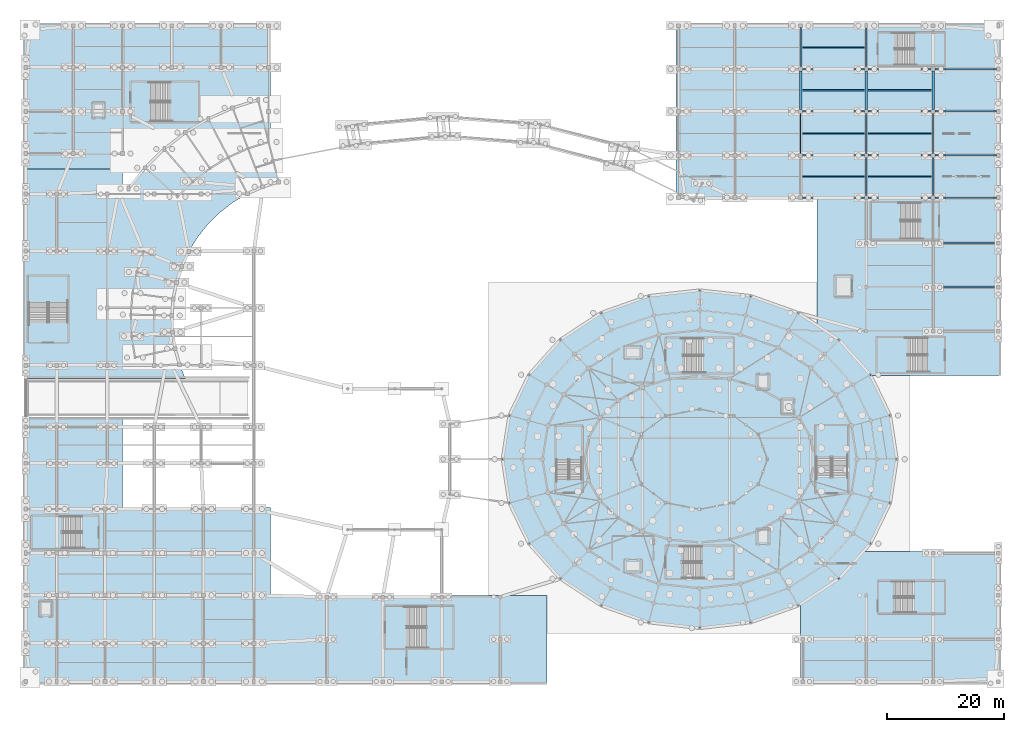
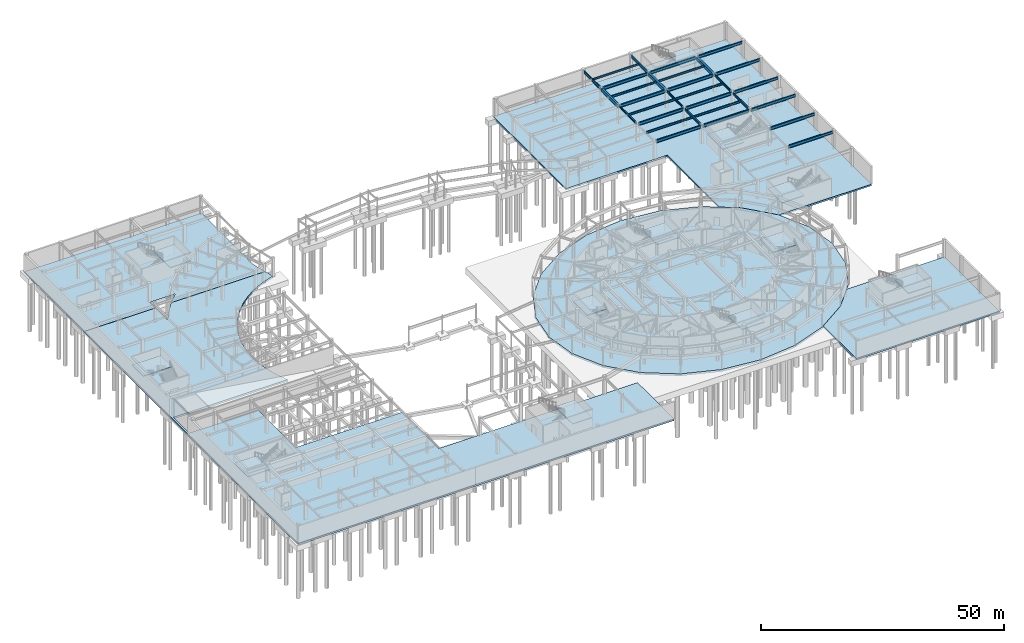
# One storey, part 34 of 68: 31 beams, 17 slabs, 12 elements without a shape of their own.
"""IFC4 building model written with IfcOpenShell, lengths in metres."""

from ifc_helpers import new_model, si_unit, direction, frame, origin, origin_2d, place, context, subcontext, project, spatial, polyline, rectangle, i_section, outline, extrude, material, layer, layer_set, material_profile, profile_set, type_object, element, aggregate, save


model = new_model("IFC4")

# Units and contexts
model_context = context("Model", 3, precision=1e-05, world=origin(), true_north=direction((0.0, 1.0)))
body_context = subcontext(model_context, "Body", "Model", "MODEL_VIEW")
ifc_project = project(units=[si_unit("LENGTHUNIT", "METRE"), si_unit("AREAUNIT", "SQUARE_METRE"), si_unit("VOLUMEUNIT", "CUBIC_METRE"), si_unit("PLANEANGLEUNIT", "RADIAN"), si_unit("MASSUNIT", "GRAM", prefix="KILO")], contexts=[model_context])

# Site, building, storey
site_placement = place(None, origin())
site = spatial("IfcSite", under=ifc_project, at=site_placement, CompositionType="ELEMENT")
building_placement = place(site_placement, origin())
building = spatial("IfcBuilding", under=site, at=building_placement, Name="Cinderbank Siding Concert Hall", CompositionType="ELEMENT")
storey_placement = place(building_placement, frame((0.0, 0.0, -4.800048828125)))
storey = spatial("IfcBuildingStorey", under=building, at=storey_placement, Name="B1", CompositionType="ELEMENT", Elevation=-4.800048828125)

# Beams
ifc_material_1 = material(Name="Reinforced concrete AS 3600 N50 (50 MPa)", Category="concrete")
ifc_material_profile_1 = material_profile(ifc_material_1, rectangle(XDim=0.449951171875, YDim=0.75, at=origin_2d()), Name="RC-BM-450x750", Category="LoadBearing")
ifc_profile_set_1 = profile_set([ifc_material_profile_1], Name="Reinforced concrete AS 3600 N50 (50 MPa)")
beam_type_1 = type_object("IfcBeamType", Name="BM-RC750 RC-BM-450x750", PredefinedType="BEAM", material=ifc_profile_set_1)
for number, where, z_axis, x_axis, name in (
    (1, (139.199951171875, 103.616943359375, 4.10693359375), (0.0, 1.0, 0.0), (-1.0, 0.0, 0.0), "B1 Beam BM-RC750 #1121"),
    (2, (150.39990234375, 103.616943359375, 4.10693359375), (0.0, 1.0, 0.0), (-1.0, 0.0, 0.0), "B1 Beam BM-RC750 #1129"),
    (3, (161.800048828125, 103.616943359375, 4.10693359375), (0.0, 1.0, 0.0), (-1.0, 0.0, 0.0), "B1 Beam BM-RC750 #1137"),
):
    element("IfcBeam", number, at=place(storey_placement, frame(where, z_axis=z_axis, x_axis=x_axis)), inside=storey, type_object=beam_type_1, Name=name, PredefinedType="BEAM", context=body_context, shape_type="SweptSolid", body=[
        extrude(rectangle(XDim=0.449951171875, YDim=0.75, at=origin_2d()), origin(), (0.0, 0.0, 1.0), 6.566162109375),
    ])
ifc_material_2 = material(Name="Structural steel AS/NZS 3679.1 Grade 350 (340 MPa)", Category="steel")
ifc_material_profile_2 = material_profile(ifc_material_2, i_section(OverallWidth=0.18994140625, OverallDepth=0.45751953125, WebThickness=0.009033203125, FlangeThickness=0.014404296875, at=origin_2d()), Name="460UB74.6", Category="LoadBearing")
ifc_profile_set_2 = profile_set([ifc_material_profile_2], Name="Structural steel AS/NZS 3679.1 Grade 350 (340 MPa)")
beam_type_2 = type_object("IfcBeamType", Name="BM-UB460 460UB74.6", PredefinedType="BEAM", material=ifc_profile_set_2)
for number, where, z_axis, x_axis, name in (
    (4, (139.199951171875, 96.116943359375, 4.25341796875), (0.0, 1.0, 0.0), (-1.0, 0.0, 0.0), "B1 Beam BM-UB460 #1119"),
    (5, (150.39990234375, 96.116943359375, 4.25341796875), (0.0, 1.0, 0.0), (-1.0, 0.0, 0.0), "B1 Beam BM-UB460 #1127"),
    (6, (161.800048828125, 96.116943359375, 4.25341796875), (0.0, 1.0, 0.0), (-1.0, 0.0, 0.0), "B1 Beam BM-UB460 #1135"),
):
    element("IfcBeam", number, at=place(storey_placement, frame(where, z_axis=z_axis, x_axis=x_axis)), inside=storey, type_object=beam_type_2, Name=name, PredefinedType="BEAM", context=body_context, shape_type="SweptSolid", body=[
        extrude(i_section(OverallWidth=0.18994140625, OverallDepth=0.45751953125, WebThickness=0.009033203125, FlangeThickness=0.014404296875, at=origin_2d()), origin(), (0.0, 0.0, 1.0), 6.865966796875),
    ])
ifc_material_profile_3 = material_profile(ifc_material_2, i_section(OverallWidth=0.208984375, OverallDepth=0.5283203125, WebThickness=0.009521484375, FlangeThickness=0.01318359375, at=origin_2d()), Name="530UB82.0", Category="LoadBearing")
ifc_profile_set_3 = profile_set([ifc_material_profile_3], Name="Structural steel AS/NZS 3679.1 Grade 350 (340 MPa)")
beam_type_3 = type_object("IfcBeamType", Name="BM-UB530 530UB82.0", PredefinedType="BEAM", material=ifc_profile_set_3)
for number, where, z_axis, x_axis, name in (
    (7, (150.39990234375, 88.9169921875, 4.218017578125), (0.0, 1.0, 0.0), (-1.0, 0.0, 0.0), "B1 Beam BM-UB530 #1125"),
    (8, (161.800048828125, 88.9169921875, 4.218017578125), (0.0, 1.0, 0.0), (-1.0, 0.0, 0.0), "B1 Beam BM-UB530 #1133"),
):
    element("IfcBeam", number, at=place(storey_placement, frame(where, z_axis=z_axis, x_axis=x_axis)), inside=storey, type_object=beam_type_3, Name=name, PredefinedType="BEAM", context=body_context, shape_type="SweptSolid", body=[
        extrude(i_section(OverallWidth=0.208984375, OverallDepth=0.5283203125, WebThickness=0.009521484375, FlangeThickness=0.01318359375, at=origin_2d()), origin(), (0.0, 0.0, 1.0), 6.56591796875),
    ])
ifc_material_3 = material(Name="Structural steel welded plate section AS/NZS 3679.2 / AS/NZS 3678 Grade 350 (340 MPa)", Category="steel")
ifc_material_profile_4 = material_profile(ifc_material_3, i_section(OverallWidth=0.25, OverallDepth=0.699951171875, WebThickness=0.010009765625, FlangeThickness=0.01611328125, at=origin_2d()), Name="700WB130", Category="LoadBearing")
ifc_profile_set_4 = profile_set([ifc_material_profile_4], Name="Structural steel welded plate section AS/NZS 3679.2 / AS/NZS 3678 Grade 350 (340 MPa)")
beam_type_4 = type_object("IfcBeamType", Name="BM-WB700 700WB130", PredefinedType="BEAM", material=ifc_profile_set_4)
for number, where, z_axis, x_axis, name in (
    (9, (139.51708984375, 88.60009765625, 4.132080078125), (1.0, 0.0, 0.0), (0.0, 1.0, 0.0), "B1 Beam BM-WB700 #1116"),
    (10, (139.51708984375, 95.800048828125, 4.132080078125), (1.0, 0.0, 0.0), (0.0, 1.0, 0.0), "B1 Beam BM-WB700 #1118"),
    (11, (139.51708984375, 103.300048828125, 4.132080078125), (1.0, 0.0, 0.0), (0.0, 1.0, 0.0), "B1 Beam BM-WB700 #1120"),
    (12, (139.51708984375, 110.5, 4.132080078125), (1.0, 0.0, 0.0), (0.0, 1.0, 0.0), "B1 Beam BM-WB700 #1122"),
):
    element("IfcBeam", number, at=place(storey_placement, frame(where, z_axis=z_axis, x_axis=x_axis)), inside=storey, type_object=beam_type_4, Name=name, PredefinedType="BEAM", context=body_context, shape_type="SweptSolid", body=[
        extrude(i_section(OverallWidth=0.25, OverallDepth=0.699951171875, WebThickness=0.010009765625, FlangeThickness=0.01611328125, at=origin_2d()), origin(), (0.0, 0.0, 1.0), 10.56591796875),
    ])
beam_1_placement = place(storey_placement, frame((139.199951171875, 110.81689453125, 4.132080078125), z_axis=(0.0, 1.0, 0.0), x_axis=(-1.0, 0.0, 0.0)))
element("IfcBeam", 13, at=beam_1_placement, inside=storey, type_object=beam_type_4, Name="B1 Beam BM-WB700 #1123", PredefinedType="BEAM", context=body_context, shape_type="SweptSolid", body=[
    extrude(i_section(OverallWidth=0.25, OverallDepth=0.699951171875, WebThickness=0.010009765625, FlangeThickness=0.01611328125, at=origin_2d()), origin(), (0.0, 0.0, 1.0), 6.76611328125),
])
for number, where, z_axis, x_axis, name in (
    (14, (150.717041015625, 88.60009765625, 4.132080078125), (1.0, 0.0, 0.0), (0.0, 1.0, 0.0), "B1 Beam BM-WB700 #1124"),
    (15, (150.717041015625, 95.800048828125, 4.132080078125), (1.0, 0.0, 0.0), (0.0, 1.0, 0.0), "B1 Beam BM-WB700 #1126"),
    (16, (150.717041015625, 103.300048828125, 4.132080078125), (1.0, 0.0, 0.0), (0.0, 1.0, 0.0), "B1 Beam BM-WB700 #1128"),
    (17, (150.717041015625, 110.5, 4.132080078125), (1.0, 0.0, 0.0), (0.0, 1.0, 0.0), "B1 Beam BM-WB700 #1130"),
):
    element("IfcBeam", number, at=place(storey_placement, frame(where, z_axis=z_axis, x_axis=x_axis)), inside=storey, type_object=beam_type_4, Name=name, PredefinedType="BEAM", context=body_context, shape_type="SweptSolid", body=[
        extrude(i_section(OverallWidth=0.25, OverallDepth=0.699951171875, WebThickness=0.010009765625, FlangeThickness=0.01611328125, at=origin_2d()), origin(), (0.0, 0.0, 1.0), 10.765869140625),
    ])
beam_2_placement = place(storey_placement, frame((150.39990234375, 110.81689453125, 4.132080078125), z_axis=(0.0, 1.0, 0.0), x_axis=(-1.0, 0.0, 0.0)))
element("IfcBeam", 18, at=beam_2_placement, inside=storey, type_object=beam_type_4, Name="B1 Beam BM-WB700 #1131", PredefinedType="BEAM", context=body_context, shape_type="SweptSolid", body=[
    extrude(i_section(OverallWidth=0.25, OverallDepth=0.699951171875, WebThickness=0.010009765625, FlangeThickness=0.01611328125, at=origin_2d()), origin(), (0.0, 0.0, 1.0), 6.8662109375),
])
for number, where, z_axis, x_axis, name in (
    (19, (162.116943359375, 88.60009765625, 4.132080078125), (1.0, 0.0, 0.0), (0.0, 1.0, 0.0), "B1 Beam BM-WB700 #1132"),
    (20, (162.116943359375, 95.800048828125, 4.132080078125), (1.0, 0.0, 0.0), (0.0, 1.0, 0.0), "B1 Beam BM-WB700 #1134"),
    (21, (162.116943359375, 103.300048828125, 4.132080078125), (1.0, 0.0, 0.0), (0.0, 1.0, 0.0), "B1 Beam BM-WB700 #1136"),
    (22, (162.116943359375, 110.5, 4.132080078125), (1.0, 0.0, 0.0), (0.0, 1.0, 0.0), "B1 Beam BM-WB700 #1138"),
):
    element("IfcBeam", number, at=place(storey_placement, frame(where, z_axis=z_axis, x_axis=x_axis)), inside=storey, type_object=beam_type_4, Name=name, PredefinedType="BEAM", context=body_context, shape_type="SweptSolid", body=[
        extrude(i_section(OverallWidth=0.25, OverallDepth=0.699951171875, WebThickness=0.010009765625, FlangeThickness=0.01611328125, at=origin_2d()), origin(), (0.0, 0.0, 1.0), 10.466064453125),
    ])
for number, where, z_axis, x_axis, name in (
    (23, (162.092041015625, 73.300048828125, 4.172119140625), (1.0, 0.0, 0.0), (0.0, 1.0, 0.0), "B1 Beam BM-WB700 #1181"),
    (24, (162.092041015625, 80.800048828125, 4.172119140625), (1.0, 0.0, 0.0), (0.0, 1.0, 0.0), "B1 Beam BM-WB700 #1183"),
):
    element("IfcBeam", number, at=place(storey_placement, frame(where, z_axis=z_axis, x_axis=x_axis)), inside=storey, type_object=beam_type_4, Name=name, PredefinedType="BEAM", context=body_context, shape_type="SweptSolid", body=[
        extrude(i_section(OverallWidth=0.25, OverallDepth=0.699951171875, WebThickness=0.010009765625, FlangeThickness=0.01611328125, at=origin_2d()), origin(), (0.0, 0.0, 1.0), 10.515869140625),
    ])
ifc_material_profile_5 = material_profile(ifc_material_2, i_section(OverallWidth=0.18994140625, OverallDepth=0.453857421875, WebThickness=0.008544921875, FlangeThickness=0.0126953125, at=origin_2d()), Name="460UB67.1", Category="LoadBearing")
ifc_profile_set_5 = profile_set([ifc_material_profile_5], Name="Structural steel AS/NZS 3679.1 Grade 350 (340 MPa)")
beam_type_5 = type_object("IfcBeamType", Name="JS-UB460 460UB67.1", PredefinedType="JOIST", material=ifc_profile_set_5)
beam_3_placement = place(storey_placement, frame((139.29638671875, 92.199951171875, 4.255126953125), z_axis=(1.0, 0.0, 0.0), x_axis=(0.0, 1.0, 0.0)))
element("IfcBeam", 25, at=beam_3_placement, inside=storey, type_object=beam_type_5, Name="B1 Beam JS-UB460 #1249", PredefinedType="JOIST", context=body_context, shape_type="SweptSolid", body=[
    extrude(i_section(OverallWidth=0.18994140625, OverallDepth=0.453857421875, WebThickness=0.008544921875, FlangeThickness=0.0126953125, at=origin_2d()), origin(), (0.0, 0.0, 1.0), 11.007080078125),
])
beam_4_placement = place(storey_placement, frame((139.287109375, 99.550048828125, 4.255126953125), z_axis=(1.0, 0.0, 0.0), x_axis=(0.0, 1.0, 0.0)))
element("IfcBeam", 26, at=beam_4_placement, inside=storey, type_object=beam_type_5, Name="B1 Beam JS-UB460 #1250", PredefinedType="JOIST", context=body_context, shape_type="SweptSolid", body=[
    extrude(i_section(OverallWidth=0.18994140625, OverallDepth=0.453857421875, WebThickness=0.008544921875, FlangeThickness=0.0126953125, at=origin_2d()), origin(), (0.0, 0.0, 1.0), 11.02587890625),
])
beam_5_placement = place(storey_placement, frame((139.4169921875, 106.89990234375, 4.255126953125), z_axis=(1.0, 0.0, 0.0), x_axis=(0.0, 1.0, 0.0)))
element("IfcBeam", 27, at=beam_5_placement, inside=storey, type_object=beam_type_5, Name="B1 Beam JS-UB460 #1251", PredefinedType="JOIST", context=body_context, shape_type="SweptSolid", body=[
    extrude(i_section(OverallWidth=0.18994140625, OverallDepth=0.453857421875, WebThickness=0.008544921875, FlangeThickness=0.0126953125, at=origin_2d()), origin(), (0.0, 0.0, 1.0), 10.76611328125),
])
beam_6_placement = place(storey_placement, frame((139.31689453125, 114.199951171875, 4.255126953125), z_axis=(1.0, 0.0, 0.0), x_axis=(0.0, 1.0, 0.0)))
element("IfcBeam", 28, at=beam_6_placement, inside=storey, type_object=beam_type_5, Name="B1 Beam JS-UB460 #1252", PredefinedType="JOIST", context=body_context, shape_type="SweptSolid", body=[
    extrude(i_section(OverallWidth=0.18994140625, OverallDepth=0.453857421875, WebThickness=0.008544921875, FlangeThickness=0.0126953125, at=origin_2d()), origin(), (0.0, 0.0, 1.0), 10.966064453125),
])
beam_7_placement = place(storey_placement, frame((150.49658203125, 92.199951171875, 4.255126953125), z_axis=(1.0, 0.0, 0.0), x_axis=(0.0, 1.0, 0.0)))
element("IfcBeam", 29, at=beam_7_placement, inside=storey, type_object=beam_type_5, Name="B1 Beam JS-UB460 #1253", PredefinedType="JOIST", context=body_context, shape_type="SweptSolid", body=[
    extrude(i_section(OverallWidth=0.18994140625, OverallDepth=0.453857421875, WebThickness=0.008544921875, FlangeThickness=0.0126953125, at=origin_2d()), origin(), (0.0, 0.0, 1.0), 11.20703125),
])
beam_8_placement = place(storey_placement, frame((150.487060546875, 99.550048828125, 4.255126953125), z_axis=(1.0, 0.0, 0.0), x_axis=(0.0, 1.0, 0.0)))
element("IfcBeam", 30, at=beam_8_placement, inside=storey, type_object=beam_type_5, Name="B1 Beam JS-UB460 #1254", PredefinedType="JOIST", context=body_context, shape_type="SweptSolid", body=[
    extrude(i_section(OverallWidth=0.18994140625, OverallDepth=0.453857421875, WebThickness=0.008544921875, FlangeThickness=0.0126953125, at=origin_2d()), origin(), (0.0, 0.0, 1.0), 11.225830078125),
])
beam_9_placement = place(storey_placement, frame((150.616943359375, 106.89990234375, 4.255126953125), z_axis=(1.0, 0.0, 0.0), x_axis=(0.0, 1.0, 0.0)))
element("IfcBeam", 31, at=beam_9_placement, inside=storey, type_object=beam_type_5, Name="B1 Beam JS-UB460 #1255", PredefinedType="JOIST", context=body_context, shape_type="SweptSolid", body=[
    extrude(i_section(OverallWidth=0.18994140625, OverallDepth=0.453857421875, WebThickness=0.008544921875, FlangeThickness=0.0126953125, at=origin_2d()), origin(), (0.0, 0.0, 1.0), 10.966064453125),
])

# Slabs
ifc_material_4 = material(Name="Reinforced concrete AS 3600 N40 (40 MPa)", Category="concrete")
ifc_layer_1 = layer(ifc_material_4, 0.449951171875)
ifc_layer_set_1 = layer_set([ifc_layer_1], Name="Reinforced concrete AS 3600 N40 (40 MPa)")
slab_type_1 = type_object("IfcSlabType", Name="BS-01 Slab 450mm", PredefinedType="BASESLAB", material=ifc_layer_set_1)
slab_1_placement = place(storey_placement, frame((0.0, 0.0, -0.449951171875)))
element("IfcSlab", 32, at=slab_1_placement, inside=storey, type_object=slab_type_1, Name="B1 Car Park Loop Base Slab North", PredefinedType="BASESLAB", context=body_context, shape_type="SweptSolid", body=[
    extrude(outline(polyline([(6.800048828125, 93.489013671875), (6.800048828125, 118.199951171875), (48.800048828125, 118.199951171875), (48.800048828125, 96.877685546875), (49.64501953125, 93.489013671875), (27.299072265625, 93.489013671875), (29.59814453125, 95.800048828125), (23.60009765625, 95.800048828125), (23.60009765625, 93.489013671875), (6.800048828125, 93.489013671875)])), origin(), (0.0, 0.0, 1.0), 0.449951171875),
])
slab_2_placement = place(storey_placement, frame((0.0, 0.0, -0.449951171875)))
element("IfcSlab", 33, at=slab_2_placement, inside=storey, type_object=slab_type_1, Name="B1 Car Park Loop Base Slab South", PredefinedType="BASESLAB", context=body_context, shape_type="SweptSolid", body=[
    extrude(outline(polyline([(6.800048828125, 5.800048828125), (6.800048828125, 93.47705078125), (23.60009765625, 93.47705078125), (23.60009765625, 88.4873046875), (24.62158203125, 90.135009765625), (27.28955078125, 93.47705078125), (49.64794921875, 93.47705078125), (50.19384765625, 91.287109375), (47.477294921875, 90.435791015625), (44.880859375, 89.268798828125), (42.44091796875, 87.802734375), (40.19140625, 86.05810546875), (38.16455078125, 84.05908203125), (36.388427734375, 81.83447265625), (34.888427734375, 79.4150390625), (33.685302734375, 76.8349609375), (32.796142578125, 74.130615234375), (32.233642578125, 71.340087890625), (32.00537109375, 68.502685546875), (32.114501953125, 65.657958984375), (32.559814453125, 62.846435546875), (33.3349609375, 60.107177734375), (34.3369140625, 57.699951171875), (7.199951171875, 57.699951171875), (7.199951171875, 51.199951171875), (23.60009765625, 51.199951171875), (23.60009765625, 35.800048828125), (48.800048828125, 35.800048828125), (48.800048828125, 20.800048828125), (96.0, 20.800048828125), (96.0, 5.800048828125), (6.800048828125, 5.800048828125)])), origin(), (0.0, 0.0, 1.0), 0.449951171875),
])
ifc_layer_2 = layer(ifc_material_4, 0.5)
ifc_layer_set_2 = layer_set([ifc_layer_2], Name="Reinforced concrete AS 3600 N40 (40 MPa)")
slab_type_2 = type_object("IfcSlabType", Name="BS-02 Slab 500mm", PredefinedType="BASESLAB", material=ifc_layer_set_2)
slab_3_placement = place(storey_placement, frame((0.0, 0.0, -0.5)))
element("IfcSlab", 34, at=slab_3_placement, inside=storey, type_object=slab_type_2, Name="B1 Isolated Auditorium & Drum Raft", PredefinedType="BASESLAB", context=body_context, shape_type="SweptSolid", body=[
    extrude(outline(polyline([(155.60009765625, 44.0), (154.455078125, 36.5458984375), (151.098388671875, 29.60009765625), (145.7587890625, 23.63525390625), (138.800048828125, 19.05859375), (130.6962890625, 16.181396484375), (122.0, 15.199951171875), (113.3037109375, 16.181396484375), (105.199951171875, 19.05859375), (98.2412109375, 23.63525390625), (92.901611328125, 29.60009765625), (89.544921875, 36.5458984375), (88.39990234375, 44.0), (89.544921875, 51.4541015625), (92.901611328125, 58.39990234375), (98.2412109375, 64.36474609375), (105.199951171875, 68.94140625), (113.3037109375, 71.818603515625), (122.0, 72.800048828125), (130.6962890625, 71.818603515625), (138.800048828125, 68.94140625), (145.7587890625, 64.36474609375), (151.098388671875, 58.39990234375), (154.455078125, 51.4541015625), (155.60009765625, 44.0)])), origin(), (0.0, 0.0, 1.0), 0.5),
])
ifc_layer_3 = layer(ifc_material_4, 0.39990234375)
ifc_layer_set_3 = layer_set([ifc_layer_3], Name="Reinforced concrete AS 3600 N40 (40 MPa)")
slab_type_3 = type_object("IfcSlabType", Name="BS-03 Slab 400mm", PredefinedType="BASESLAB", material=ifc_layer_set_3)
slab_4_placement = place(storey_placement, frame((0.0, 0.0, -0.39990234375)))
element("IfcSlab", 35, at=slab_4_placement, inside=storey, type_object=slab_type_3, Name="B1 East Plant & Substructure Slab Part 1", PredefinedType="BASESLAB", context=body_context, shape_type="SweptSolid", body=[
    extrude(outline(polyline([(118.0, 88.300048828125), (118.0, 118.199951171875), (173.199951171875, 118.199951171875), (173.199951171875, 58.300048828125), (151.146728515625, 58.300048828125), (151.098388671875, 58.39990234375), (145.7587890625, 64.36474609375), (142.0, 66.8369140625), (142.0, 88.300048828125), (118.0, 88.300048828125)])), origin(), (0.0, 0.0, 1.0), 0.39990234375),
])
slab_5_placement = place(storey_placement, frame((0.0, 0.0, -0.39990234375)))
element("IfcSlab", 36, at=slab_5_placement, inside=storey, type_object=slab_type_3, Name="B1 East Plant & Substructure Slab Part 2", PredefinedType="BASESLAB", context=body_context, shape_type="SweptSolid", body=[
    extrude(outline(polyline([(173.199951171875, 5.800048828125), (139.199951171875, 5.800048828125), (139.199951171875, 19.321533203125), (145.7587890625, 23.63525390625), (149.934814453125, 28.300048828125), (173.199951171875, 28.300048828125), (173.199951171875, 5.800048828125)])), origin(), (0.0, 0.0, 1.0), 0.39990234375),
])

# Stair, slab
stair_type_1 = type_object("IfcStairType", Name="STR-J Dogleg Exit Stair 2850mm", PredefinedType="HALF_TURN_STAIR", material=ifc_material_1)
stair_1_placement = place(storey_placement, origin())
stair_1 = element("IfcStair", 37, at=stair_1_placement, inside=storey, type_object=stair_type_1, Name="B1 Fire-isolated Exit Stair ST-01", PredefinedType="HALF_TURN_STAIR")
ifc_layer_4 = layer(ifc_material_1, 0.199951171875)
ifc_layer_set_4 = layer_set([ifc_layer_4], Name="Reinforced concrete AS 3600 N50 (50 MPa)")
slab_type_4 = type_object("IfcSlabType", Name="LD-02 Slab 200mm", PredefinedType="LANDING", material=ifc_layer_set_4)
slab_6_placement = place(storey_placement, frame((0.0, 0.0, 2.199951171875)))
slab_6 = element("IfcSlab", 38, at=slab_6_placement, type_object=slab_type_4, Name="ST-01 landing 1", PredefinedType="LANDING", context=body_context, shape_type="SweptSolid", body=[
    extrude(outline(polyline([(122.550048828125, 58.669921875), (122.550048828125, 64.68994140625), (127.780029296875, 64.68994140625), (127.780029296875, 58.669921875), (122.550048828125, 58.669921875)])), origin(), (0.0, 0.0, 1.0), 0.2001953125),
])
aggregate(stair_1, [slab_6])

stair_type_2 = type_object("IfcStairType", Name="STR-A Dogleg Exit Stair 2650mm", PredefinedType="HALF_TURN_STAIR", material=ifc_material_1)
stair_2_placement = place(storey_placement, origin())
stair_2 = element("IfcStair", 39, at=stair_2_placement, inside=storey, type_object=stair_type_2, Name="B1 Fire-isolated Exit Stair ST-02", PredefinedType="HALF_TURN_STAIR")
slab_7_placement = place(storey_placement, frame((0.0, 0.0, 2.199951171875)))
slab_7 = element("IfcSlab", 40, at=slab_7_placement, type_object=slab_type_4, Name="ST-02 landing 1", PredefinedType="LANDING", context=body_context, shape_type="SweptSolid", body=[
    extrude(outline(polyline([(122.35009765625, 23.6201171875), (122.35009765625, 29.239990234375), (127.780029296875, 29.239990234375), (127.780029296875, 23.6201171875), (122.35009765625, 23.6201171875)])), origin(), (0.0, 0.0, 1.0), 0.2001953125),
])
aggregate(stair_2, [slab_7])

stair_type_3 = type_object("IfcStairType", Name="STR-B Dogleg Exit Stair 2600mm", PredefinedType="HALF_TURN_STAIR", material=ifc_material_1)
stair_3_placement = place(storey_placement, origin())
stair_3 = element("IfcStair", 41, at=stair_3_placement, inside=storey, type_object=stair_type_3, Name="B1 Fire-isolated Exit Stair ST-03", PredefinedType="HALF_TURN_STAIR")
slab_8_placement = place(storey_placement, frame((0.0, 0.0, 2.199951171875)))
slab_8 = element("IfcSlab", 42, at=slab_8_placement, type_object=slab_type_4, Name="ST-03 landing 1", PredefinedType="LANDING", context=body_context, shape_type="SweptSolid", body=[
    extrude(outline(polyline([(147.280029296875, 44.300048828125), (141.760009765625, 44.300048828125), (141.760009765625, 49.780029296875), (147.280029296875, 49.780029296875), (147.280029296875, 44.300048828125)])), origin(), (0.0, 0.0, 1.0), 0.2001953125),
])
aggregate(stair_3, [slab_8])

stair_type_4 = type_object("IfcStairType", Name="STR-D Dogleg Exit Stair 2100mm", PredefinedType="HALF_TURN_STAIR", material=ifc_material_1)
stair_4_placement = place(storey_placement, origin())
stair_4 = element("IfcStair", 43, at=stair_4_placement, inside=storey, type_object=stair_type_4, Name="B1 West Drum Exit Stair ST-04", PredefinedType="HALF_TURN_STAIR")
slab_9_placement = place(storey_placement, frame((0.0, 0.0, 2.199951171875)))
slab_9 = element("IfcSlab", 44, at=slab_9_placement, type_object=slab_type_4, Name="ST-04 landing 1", PredefinedType="LANDING", context=body_context, shape_type="SweptSolid", body=[
    extrude(outline(polyline([(101.97998046875, 43.89990234375), (97.4599609375, 43.89990234375), (97.4599609375, 49.679931640625), (101.97998046875, 49.679931640625), (101.97998046875, 43.89990234375)])), origin(), (0.0, 0.0, 1.0), 0.2001953125),
])
aggregate(stair_4, [slab_9])

stair_type_5 = type_object("IfcStairType", Name="STR-L Dogleg Exit Stair 3250mm", PredefinedType="HALF_TURN_STAIR", material=ifc_material_1)
stair_5_placement = place(storey_placement, origin())
stair_5 = element("IfcStair", 45, at=stair_5_placement, inside=storey, type_object=stair_type_5, Name="B1 Rehearsal Wing Exit Stair ST-05", PredefinedType="HALF_TURN_STAIR")
slab_10_placement = place(storey_placement, frame((0.0, 0.0, 2.199951171875)))
slab_10 = element("IfcSlab", 46, at=slab_10_placement, type_object=slab_type_4, Name="ST-05 landing 1", PredefinedType="LANDING", context=body_context, shape_type="SweptSolid", body=[
    extrude(outline(polyline([(31.75, 101.52001953125), (31.75, 108.340087890625), (36.580078125, 108.340087890625), (36.580078125, 101.52001953125), (31.75, 101.52001953125)])), origin(), (0.0, 0.0, 1.0), 0.2001953125),
])
aggregate(stair_5, [slab_10])

stair_6_placement = place(storey_placement, origin())
stair_6 = element("IfcStair", 47, at=stair_6_placement, inside=storey, type_object=stair_type_2, Name="B1 Chamber Pavilion Exit Stair ST-06", PredefinedType="HALF_TURN_STAIR")
slab_11_placement = place(storey_placement, frame((0.0, 0.0, 2.199951171875)))
slab_11 = element("IfcSlab", 48, at=slab_11_placement, type_object=slab_type_4, Name="ST-06 landing 1", PredefinedType="LANDING", context=body_context, shape_type="SweptSolid", body=[
    extrude(outline(polyline([(13.35009765625, 34.340087890625), (13.35009765625, 28.719970703125), (8.1201171875, 28.719970703125), (8.1201171875, 34.340087890625), (13.35009765625, 34.340087890625)])), origin(), (0.0, 0.0, 1.0), 0.2001953125),
])
aggregate(stair_6, [slab_11])

stair_7_placement = place(storey_placement, origin())
stair_7 = element("IfcStair", 49, at=stair_7_placement, inside=storey, type_object=stair_type_2, Name="B1 Orchestral Pavilion Exit Stair ST-07", PredefinedType="HALF_TURN_STAIR")
slab_12_placement = place(storey_placement, frame((0.0, 0.0, 2.199951171875)))
slab_12 = element("IfcSlab", 50, at=slab_12_placement, type_object=slab_type_4, Name="ST-07 landing 1", PredefinedType="LANDING", context=body_context, shape_type="SweptSolid", body=[
    extrude(outline(polyline([(158.550048828125, 111.1201171875), (158.550048828125, 116.739990234375), (163.780029296875, 116.739990234375), (163.780029296875, 111.1201171875), (158.550048828125, 111.1201171875)])), origin(), (0.0, 0.0, 1.0), 0.2001953125),
])
aggregate(stair_7, [slab_12])

stair_type_6 = type_object("IfcStairType", Name="STR-F Dogleg Exit Stair 3450mm", PredefinedType="HALF_TURN_STAIR", material=ifc_material_1)
stair_8_placement = place(storey_placement, origin())
stair_8 = element("IfcStair", 51, at=stair_8_placement, inside=storey, type_object=stair_type_6, Name="B1 South Concourse Exit Stair ST-08", PredefinedType="HALF_TURN_STAIR")
slab_13_placement = place(storey_placement, frame((0.0, 0.0, 2.199951171875)))
slab_13 = element("IfcSlab", 52, at=slab_13_placement, type_object=slab_type_4, Name="ST-08 landing 1", PredefinedType="LANDING", context=body_context, shape_type="SweptSolid", body=[
    extrude(outline(polyline([(75.35009765625, 11.719970703125), (75.35009765625, 18.93994140625), (79.97998046875, 18.93994140625), (79.97998046875, 11.719970703125), (75.35009765625, 11.719970703125)])), origin(), (0.0, 0.0, 1.0), 0.2001953125),
])
aggregate(stair_8, [slab_13])

stair_9_placement = place(storey_placement, origin())
stair_9 = element("IfcStair", 53, at=stair_9_placement, inside=storey, type_object=stair_type_5, Name="B1 West Gallery Exit Stair ST-09", PredefinedType="HALF_TURN_STAIR")
slab_14_placement = place(storey_placement, frame((0.0, 0.0, 2.199951171875)))
slab_14 = element("IfcSlab", 54, at=slab_14_placement, type_object=slab_type_4, Name="ST-09 landing 1", PredefinedType="LANDING", context=body_context, shape_type="SweptSolid", body=[
    extrude(outline(polyline([(14.340087890625, 70.64990234375), (7.52001953125, 70.64990234375), (7.52001953125, 75.280029296875), (14.340087890625, 75.280029296875), (14.340087890625, 70.64990234375)])), origin(), (0.0, 0.0, 1.0), 0.2001953125),
])
aggregate(stair_9, [slab_14])

stair_10_placement = place(storey_placement, origin())
stair_10 = element("IfcStair", 55, at=stair_10_placement, inside=storey, type_object=stair_type_3, Name="B1 Southeast Concourse Exit Stair ST-10", PredefinedType="HALF_TURN_STAIR")
slab_15_placement = place(storey_placement, frame((0.0, 0.0, 2.199951171875)))
slab_15 = element("IfcSlab", 56, at=slab_15_placement, type_object=slab_type_4, Name="ST-10 landing 1", PredefinedType="LANDING", context=body_context, shape_type="SweptSolid", body=[
    extrude(outline(polyline([(158.5, 17.719970703125), (158.5, 23.239990234375), (163.780029296875, 23.239990234375), (163.780029296875, 17.719970703125), (158.5, 17.719970703125)])), origin(), (0.0, 0.0, 1.0), 0.2001953125),
])
aggregate(stair_10, [slab_15])

stair_type_7 = type_object("IfcStairType", Name="STR-I Dogleg Exit Stair 3000mm", PredefinedType="HALF_TURN_STAIR", material=ifc_material_1)
stair_11_placement = place(storey_placement, origin())
stair_11 = element("IfcStair", 57, at=stair_11_placement, inside=storey, type_object=stair_type_7, Name="B1 East Link Exit Stair ST-11", PredefinedType="HALF_TURN_STAIR")
slab_16_placement = place(storey_placement, frame((0.0, 0.0, 2.199951171875)))
slab_16 = element("IfcSlab", 58, at=slab_16_placement, type_object=slab_type_4, Name="ST-11 landing 1", PredefinedType="LANDING", context=body_context, shape_type="SweptSolid", body=[
    extrude(outline(polyline([(156.300048828125, 87.7900390625), (156.300048828125, 81.469970703125), (151.219970703125, 81.469970703125), (151.219970703125, 87.7900390625), (156.300048828125, 87.7900390625)])), origin(), (0.0, 0.0, 1.0), 0.2001953125),
])
aggregate(stair_11, [slab_16])

stair_12_placement = place(storey_placement, origin())
stair_12 = element("IfcStair", 59, at=stair_12_placement, inside=storey, type_object=stair_type_1, Name="B1 East Link South Exit Stair ST-12", PredefinedType="HALF_TURN_STAIR")
slab_17_placement = place(storey_placement, frame((0.0, 0.0, 2.199951171875)))
slab_17 = element("IfcSlab", 60, at=slab_17_placement, type_object=slab_type_4, Name="ST-12 landing 1", PredefinedType="LANDING", context=body_context, shape_type="SweptSolid", body=[
    extrude(outline(polyline([(157.449951171875, 64.7900390625), (157.449951171875, 58.77001953125), (152.219970703125, 58.77001953125), (152.219970703125, 64.7900390625), (157.449951171875, 64.7900390625)])), origin(), (0.0, 0.0, 1.0), 0.2001953125),
])
aggregate(stair_12, [slab_17])

save(model, "model.ifc")
